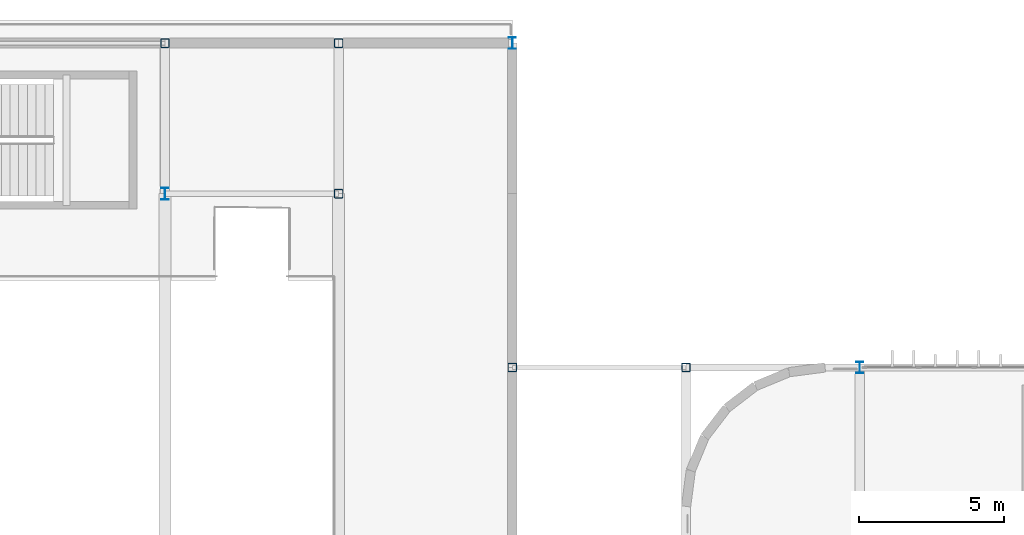
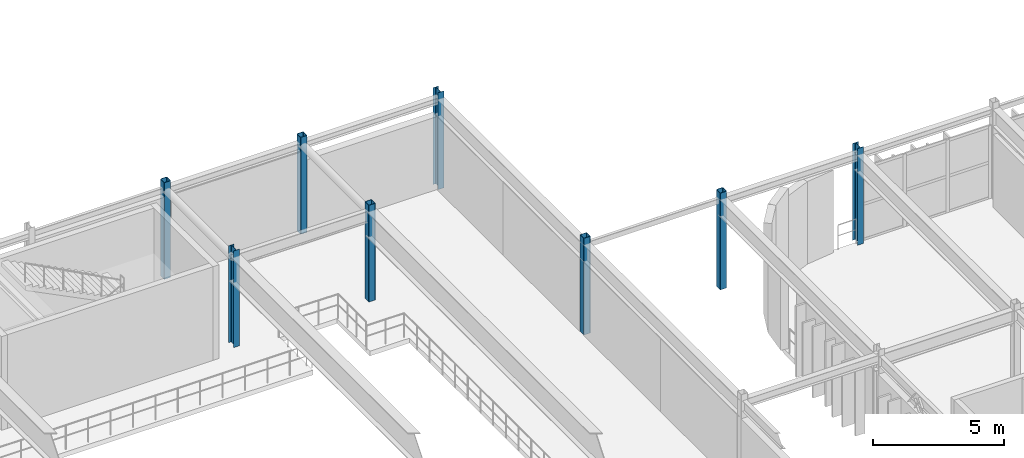
# One storey, part 14 of 96: 8 columns.
"""IFC4 building model written with IfcOpenShell, lengths in metres."""

import ifcopenshell
import ifcopenshell.guid

model = None  # the IFC model being written
_history = None  # IfcOwnerHistory: only IFC2X3 demands one
_inside = {}  # id of a spatial element -> (the spatial element, [elements in it])
_under = {}  # id of a project, library or spatial element -> (it, [spatial elements below it])
_declared = {}  # id of a project -> (the project, [libraries it declares])
_typed = {}  # id of a type object -> (the type object, [elements of that type])
_made_of = {}  # id of a material, layer set ... -> (it, [elements and type objects made of it])


def new_model(schema):
    """Start an empty IFC model of exactly this schema.

    Asked for "IFC4X3", IfcOpenShell would pick the latest addendum, in which some entities
    have other attributes; the version numbers below select the first issue.
    IFC2X3 requires an IfcOwnerHistory on every rooted entity: one is made here for all.
    """
    global model, _history
    if schema == "IFC4X3":
        model = ifcopenshell.file(schema_version=(4, 3, 0, 0))
    else:
        model = ifcopenshell.file(schema=schema)
    _inside.clear()
    _under.clear()
    _declared.clear()
    _typed.clear()
    _made_of.clear()
    _history = None
    if model.schema == "IFC2X3":
        org = make("IfcOrganization", Name="unknown")
        user = make(
            "IfcPersonAndOrganization",
            ThePerson=make("IfcPerson", FamilyName="unknown"),
            TheOrganization=org,
        )
        app = make(
            "IfcApplication",
            ApplicationDeveloper=org,
            Version="unknown",
            ApplicationFullName="unknown",
            ApplicationIdentifier="unknown",
        )
        _history = make(
            "IfcOwnerHistory",
            OwningUser=user,
            OwningApplication=app,
            ChangeAction="ADDED",
            CreationDate=0,
        )
    return model


def make(cls, **values):
    """One entity of the class cls with the attributes given. An attribute that is None is left unset."""
    return model.create_entity(
        cls, **{name: value for name, value in values.items() if value is not None}
    )


def rooted(cls, **values):
    """An entity with a GlobalId (a new one), such as an element, a storey or a relation."""
    return make(cls, GlobalId=ifcopenshell.guid.new(), OwnerHistory=_history, **values)


def si_unit(unit_type, name, prefix=None):
    """IfcSIUnit, for example si_unit("LENGTHUNIT", "METRE", prefix="MILLI")."""
    return make("IfcSIUnit", UnitType=unit_type, Prefix=prefix, Name=name)


def assignment(units):
    """IfcUnitAssignment: the units of a project."""
    return None if units is None else make("IfcUnitAssignment", Units=units)


def point(xyz):
    """IfcCartesianPoint."""
    return None if xyz is None else make("IfcCartesianPoint", Coordinates=xyz)


def direction(xyz):
    """IfcDirection."""
    return None if xyz is None else make("IfcDirection", DirectionRatios=xyz)


def frame(location, z_axis=None, x_axis=None):
    """IfcAxis2Placement3D, a coordinate frame: its origin and axes. An axis left out is left unset."""
    return make(
        "IfcAxis2Placement3D",
        Location=point(location),
        Axis=direction(z_axis),
        RefDirection=direction(x_axis),
    )


def frame_2d(location, x_axis=None):
    """IfcAxis2Placement2D, a coordinate frame in the plane: its origin and x axis."""
    return make(
        "IfcAxis2Placement2D", Location=point(location), RefDirection=direction(x_axis)
    )


def origin():
    """The frame at (0, 0, 0) with its axes left unset."""
    return frame((0.0, 0.0, 0.0))


def origin_2d():
    """The frame at (0, 0) in the plane with its x axis left unset."""
    return frame_2d((0.0, 0.0))


def place(relative_to, where):
    """IfcLocalPlacement: puts the frame where relative to a parent placement (None: the world)."""
    return make(
        "IfcLocalPlacement", PlacementRelTo=relative_to, RelativePlacement=where
    )


def context(
    kind, dimensions, precision=None, world=None, true_north=None, identifier=None
):
    """IfcGeometricRepresentationContext, for example the 3D "Model" context."""
    return make(
        "IfcGeometricRepresentationContext",
        ContextIdentifier=identifier,
        ContextType=kind,
        CoordinateSpaceDimension=dimensions,
        Precision=precision,
        WorldCoordinateSystem=world,
        TrueNorth=true_north,
    )


def subcontext(parent, identifier, kind, view, scale=None):
    """IfcGeometricRepresentationSubContext, for example "Body" below "Model"."""
    return make(
        "IfcGeometricRepresentationSubContext",
        ContextIdentifier=identifier,
        ContextType=kind,
        ParentContext=parent,
        TargetScale=scale,
        TargetView=view,
    )


def project(units=None, contexts=None):
    """IfcProject with its units and contexts."""
    return rooted(
        "IfcProject",
        Name="project",
        RepresentationContexts=contexts,
        UnitsInContext=assignment(units),
    )


def spatial(cls, under=None, at=None, **own):
    """A site, building, storey or space (cls), placed at a placement, below another one or the project."""
    s = rooted(cls, ObjectPlacement=at, **own)
    if under is not None:
        _under.setdefault(under.id(), (under, []))[1].append(s)
    return s


def profile(cls, at=None, kind="AREA", **sizes):
    """A parametric profile (cls). Its sizes go by their IFC names, for example OverallWidth=200.0."""
    return make(cls, ProfileType=kind, Position=at, **sizes)


def hollow_rectangle(**sizes):
    """IfcRectangleHollowProfileDef."""
    return profile("IfcRectangleHollowProfileDef", **sizes)


def i_section(**sizes):
    """IfcIShapeProfileDef."""
    return profile("IfcIShapeProfileDef", **sizes)


def extrude(swept, where, along, depth):
    """IfcExtrudedAreaSolid: the profile swept, set in the frame where, extruded along a direction by depth."""
    return make(
        "IfcExtrudedAreaSolid",
        SweptArea=swept,
        Position=where,
        ExtrudedDirection=direction(along),
        Depth=depth,
    )


def shape(context_of_items, identifier, shape_type, items):
    """IfcShapeRepresentation: the items that make up one representation, for example the "Body"."""
    return make(
        "IfcShapeRepresentation",
        ContextOfItems=context_of_items,
        RepresentationIdentifier=identifier,
        RepresentationType=shape_type,
        Items=items,
    )


def material(Name=None, Category=None):
    """IfcMaterial."""
    return make("IfcMaterial", Name=Name, Category=Category)


def material_profile(
    of_material, cross_section, Name=None, Category=None, Priority=None
):
    """IfcMaterialProfile: a cross section and its material."""
    return make(
        "IfcMaterialProfile",
        Name=Name,
        Material=of_material,
        Profile=cross_section,
        Priority=Priority,
        Category=Category,
    )


def profile_set(profiles, Name=None, composite=None):
    """IfcMaterialProfileSet."""
    return make(
        "IfcMaterialProfileSet",
        Name=Name,
        MaterialProfiles=profiles,
        CompositeProfile=composite,
    )


def made_of(thing, what):
    """Note that an element or type object is made of a material, layer set ...; save() writes the relation."""
    if what is not None:
        _made_of.setdefault(what.id(), (what, []))[1].append(thing)
    return thing


def type_object(cls, material=None, **own):
    """A type object (cls), such as IfcWallType, which elements share."""
    return made_of(rooted(cls, **own), material)


def element(
    cls,
    number,
    at=None,
    inside=None,
    cuts=None,
    type_object=None,
    material=None,
    context=None,
    identifier="Body",
    shape_type=None,
    held_by="IfcProductDefinitionShape",
    body=None,
    shapes=None,
    **own,
):
    """One element of the class cls, such as IfcWall. Its Tag is "e" and its number.

    at: its placement. inside: the storey or other place that contains it. cuts: it is an
    opening in that element (IfcRelVoidsElement). A single representation is given by context,
    identifier, shape_type and body (its items); several are given by shapes. held_by: the class
    of the entity that holds the representations. save() writes the other relations.
    """
    e = rooted(cls, Tag="e%d" % number, ObjectPlacement=at, **own)
    if body is not None:
        shapes = [shape(context, identifier, shape_type, body)]
    if shapes is not None:
        e.Representation = make(held_by, Representations=shapes)
    if inside is not None:
        _inside.setdefault(inside.id(), (inside, []))[1].append(e)
    if cuts is not None:
        rooted(
            "IfcRelVoidsElement", RelatingBuildingElement=cuts, RelatedOpeningElement=e
        )
    if type_object is not None:
        _typed.setdefault(type_object.id(), (type_object, []))[1].append(e)
    return made_of(e, material)


def aggregate(whole, parts):
    """IfcRelAggregates: a whole, such as a stair, and the parts it consists of."""
    return rooted("IfcRelAggregates", RelatingObject=whole, RelatedObjects=parts)


def save(model, path):
    """Write the relations noted so far, then the file.

    IfcRelAggregates (storeys below a building ...), IfcRelContainedInSpatialStructure (elements
    in a storey), IfcRelDefinesByType, IfcRelAssociatesMaterial and IfcRelDeclares: one each for
    every whole, place, type object, material and project.
    """
    for whole, parts in _under.values():
        aggregate(whole, parts)
    for where, things in _inside.values():
        rooted(
            "IfcRelContainedInSpatialStructure",
            RelatedElements=things,
            RelatingStructure=where,
        )
    for kind, things in _typed.values():
        rooted("IfcRelDefinesByType", RelatedObjects=things, RelatingType=kind)
    for what, things in _made_of.values():
        rooted("IfcRelAssociatesMaterial", RelatedObjects=things, RelatingMaterial=what)
    for by, libraries in _declared.values():
        rooted("IfcRelDeclares", RelatingContext=by, RelatedDefinitions=libraries)
    model.write(path)


model = new_model("IFC4")

# Units and contexts
model_context = context("Model", 3, precision=1e-05, world=origin(), true_north=direction((0.0, 1.0)))
body_context = subcontext(model_context, "Body", "Model", "MODEL_VIEW")
ifc_project = project(units=[si_unit("LENGTHUNIT", "METRE"), si_unit("AREAUNIT", "SQUARE_METRE"), si_unit("VOLUMEUNIT", "CUBIC_METRE"), si_unit("PLANEANGLEUNIT", "RADIAN"), si_unit("MASSUNIT", "GRAM", prefix="KILO")], contexts=[model_context])

# Site, building, storey
site_placement = place(None, origin())
site = spatial("IfcSite", under=ifc_project, at=site_placement, CompositionType="ELEMENT")
building_placement = place(site_placement, origin())
building = spatial("IfcBuilding", under=site, at=building_placement, Name="Varnakota Square Police Headquarters", CompositionType="ELEMENT")
storey_placement = place(building_placement, frame((0.0, 0.0, 4.800048828125)))
storey = spatial("IfcBuildingStorey", under=building, at=storey_placement, Name="L01", CompositionType="ELEMENT", Elevation=4.800048828125)

# Columns
ifc_material = material(Name="Steel IS 2062 Grade 350", Category="steel")
ifc_material_profile_1 = material_profile(ifc_material, i_section(OverallWidth=0.25, OverallDepth=0.39990234375, WebThickness=0.010498046875, FlangeThickness=0.0126953125, FilletRadius=0.013916015625, at=origin_2d()), Name="ISHB 400")
ifc_profile_set_1 = profile_set([ifc_material_profile_1], Name="Steel IS 2062 Grade 350")
column_type_1 = type_object("IfcColumnType", Name="COL-ISHB400", PredefinedType="COLUMN", material=ifc_profile_set_1)
for number, where, z_axis, x_axis, name in (
    (1, (42.0, 105.0, 0.0), (0.0, 0.0, 1.0), (1.0, 0.0, 0.0), "Column X0420-Y1050 L01"),
    (2, (54.0, 110.199951171875, 0.0), (0.0, 0.0, 1.0), (1.0, 0.0, 0.0), "Column X0540-Y1102 L01"),
    (3, (66.0, 99.0, 0.0), (0.0, 0.0, 1.0), (1.0, 0.0, 0.0), "Column X0660-Y0990 L01"),
):
    element("IfcColumn", number, at=place(storey_placement, frame(where, z_axis=z_axis, x_axis=x_axis)), inside=storey, type_object=column_type_1, Name=name, PredefinedType="COLUMN", context=body_context, shape_type="SweptSolid", body=[
        extrude(i_section(OverallWidth=0.25, OverallDepth=0.39990234375, WebThickness=0.010498046875, FlangeThickness=0.0126953125, FilletRadius=0.013916015625, at=origin_2d()), origin(), (0.0, 0.0, 1.0), 4.5),
    ])
ifc_material_profile_2 = material_profile(ifc_material, hollow_rectangle(XDim=0.300048828125, YDim=0.300048828125, WallThickness=0.01611328125, InnerFilletRadius=0.01611328125, OuterFilletRadius=0.031982421875, at=origin_2d()), Name="SHS 300x300x16")
ifc_profile_set_2 = profile_set([ifc_material_profile_2], Name="Steel IS 2062 Grade 350")
column_type_2 = type_object("IfcColumnType", Name="COL-SHS300", PredefinedType="COLUMN", material=ifc_profile_set_2)
for number, where, z_axis, x_axis, name in (
    (4, (42.0, 110.199951171875, 0.0), (0.0, 0.0, 1.0), (1.0, 0.0, 0.0), "Column X0420-Y1102 L01"),
    (5, (48.0, 105.0, 0.0), (0.0, 0.0, 1.0), (1.0, 0.0, 0.0), "Column X0480-Y1050 L01"),
    (6, (48.0, 110.199951171875, 0.0), (0.0, 0.0, 1.0), (1.0, 0.0, 0.0), "Column X0480-Y1102 L01"),
    (7, (54.0, 99.0, 0.0), (0.0, 0.0, 1.0), (1.0, 0.0, 0.0), "Column X0540-Y0990 L01"),
    (8, (60.0, 99.0, 0.0), (0.0, 0.0, 1.0), (1.0, 0.0, 0.0), "Column X0600-Y0990 L01"),
):
    element("IfcColumn", number, at=place(storey_placement, frame(where, z_axis=z_axis, x_axis=x_axis)), inside=storey, type_object=column_type_2, Name=name, PredefinedType="COLUMN", context=body_context, shape_type="SweptSolid", body=[
        extrude(hollow_rectangle(XDim=0.300048828125, YDim=0.300048828125, WallThickness=0.01611328125, InnerFilletRadius=0.01611328125, OuterFilletRadius=0.031982421875, at=origin_2d()), origin(), (0.0, 0.0, 1.0), 4.5),
    ])

save(model, "model.ifc")
